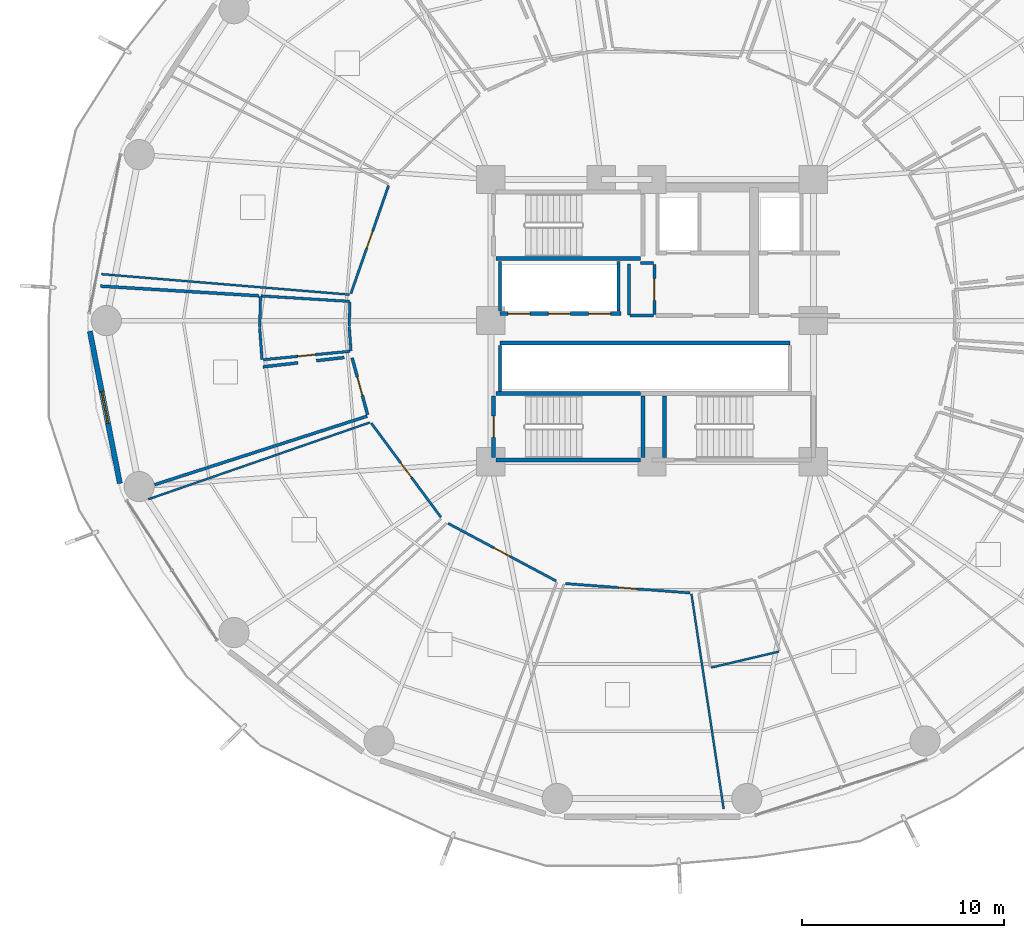
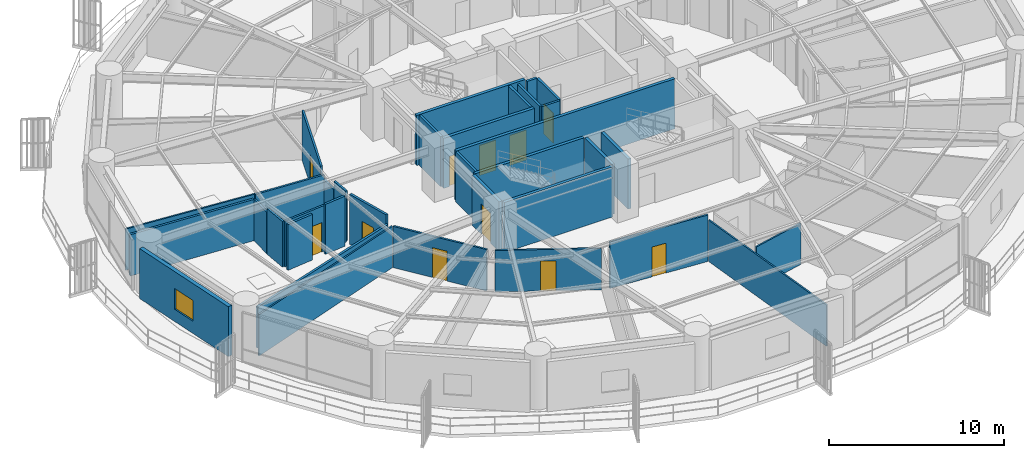
# One storey, part 23 of 32: 35 walls, 11 doors, 1 window, 12 openings.
"""IFC4 building model written with IfcOpenShell, lengths in metres."""

import ifcopenshell
import ifcopenshell.guid

model = None  # the IFC model being written
_history = None  # IfcOwnerHistory: only IFC2X3 demands one
_inside = {}  # id of a spatial element -> (the spatial element, [elements in it])
_under = {}  # id of a project, library or spatial element -> (it, [spatial elements below it])
_declared = {}  # id of a project -> (the project, [libraries it declares])
_typed = {}  # id of a type object -> (the type object, [elements of that type])
_made_of = {}  # id of a material, layer set ... -> (it, [elements and type objects made of it])


def new_model(schema):
    """Start an empty IFC model of exactly this schema.

    Asked for "IFC4X3", IfcOpenShell would pick the latest addendum, in which some entities
    have other attributes; the version numbers below select the first issue.
    IFC2X3 requires an IfcOwnerHistory on every rooted entity: one is made here for all.
    """
    global model, _history
    if schema == "IFC4X3":
        model = ifcopenshell.file(schema_version=(4, 3, 0, 0))
    else:
        model = ifcopenshell.file(schema=schema)
    _inside.clear()
    _under.clear()
    _declared.clear()
    _typed.clear()
    _made_of.clear()
    _history = None
    if model.schema == "IFC2X3":
        org = make("IfcOrganization", Name="unknown")
        user = make(
            "IfcPersonAndOrganization",
            ThePerson=make("IfcPerson", FamilyName="unknown"),
            TheOrganization=org,
        )
        app = make(
            "IfcApplication",
            ApplicationDeveloper=org,
            Version="unknown",
            ApplicationFullName="unknown",
            ApplicationIdentifier="unknown",
        )
        _history = make(
            "IfcOwnerHistory",
            OwningUser=user,
            OwningApplication=app,
            ChangeAction="ADDED",
            CreationDate=0,
        )
    return model


def make(cls, **values):
    """One entity of the class cls with the attributes given. An attribute that is None is left unset."""
    return model.create_entity(
        cls, **{name: value for name, value in values.items() if value is not None}
    )


def rooted(cls, **values):
    """An entity with a GlobalId (a new one), such as an element, a storey or a relation."""
    return make(cls, GlobalId=ifcopenshell.guid.new(), OwnerHistory=_history, **values)


def si_unit(unit_type, name, prefix=None):
    """IfcSIUnit, for example si_unit("LENGTHUNIT", "METRE", prefix="MILLI")."""
    return make("IfcSIUnit", UnitType=unit_type, Prefix=prefix, Name=name)


def assignment(units):
    """IfcUnitAssignment: the units of a project."""
    return None if units is None else make("IfcUnitAssignment", Units=units)


def point(xyz):
    """IfcCartesianPoint."""
    return None if xyz is None else make("IfcCartesianPoint", Coordinates=xyz)


def direction(xyz):
    """IfcDirection."""
    return None if xyz is None else make("IfcDirection", DirectionRatios=xyz)


def frame(location, z_axis=None, x_axis=None):
    """IfcAxis2Placement3D, a coordinate frame: its origin and axes. An axis left out is left unset."""
    return make(
        "IfcAxis2Placement3D",
        Location=point(location),
        Axis=direction(z_axis),
        RefDirection=direction(x_axis),
    )


def frame_2d(location, x_axis=None):
    """IfcAxis2Placement2D, a coordinate frame in the plane: its origin and x axis."""
    return make(
        "IfcAxis2Placement2D", Location=point(location), RefDirection=direction(x_axis)
    )


def origin():
    """The frame at (0, 0, 0) with its axes left unset."""
    return frame((0.0, 0.0, 0.0))


def place(relative_to, where):
    """IfcLocalPlacement: puts the frame where relative to a parent placement (None: the world)."""
    return make(
        "IfcLocalPlacement", PlacementRelTo=relative_to, RelativePlacement=where
    )


def context(
    kind, dimensions, precision=None, world=None, true_north=None, identifier=None
):
    """IfcGeometricRepresentationContext, for example the 3D "Model" context."""
    return make(
        "IfcGeometricRepresentationContext",
        ContextIdentifier=identifier,
        ContextType=kind,
        CoordinateSpaceDimension=dimensions,
        Precision=precision,
        WorldCoordinateSystem=world,
        TrueNorth=true_north,
    )


def subcontext(parent, identifier, kind, view, scale=None):
    """IfcGeometricRepresentationSubContext, for example "Body" below "Model"."""
    return make(
        "IfcGeometricRepresentationSubContext",
        ContextIdentifier=identifier,
        ContextType=kind,
        ParentContext=parent,
        TargetScale=scale,
        TargetView=view,
    )


def project(units=None, contexts=None):
    """IfcProject with its units and contexts."""
    return rooted(
        "IfcProject",
        Name="project",
        RepresentationContexts=contexts,
        UnitsInContext=assignment(units),
    )


def spatial(cls, under=None, at=None, **own):
    """A site, building, storey or space (cls), placed at a placement, below another one or the project."""
    s = rooted(cls, ObjectPlacement=at, **own)
    if under is not None:
        _under.setdefault(under.id(), (under, []))[1].append(s)
    return s


def profile(cls, at=None, kind="AREA", **sizes):
    """A parametric profile (cls). Its sizes go by their IFC names, for example OverallWidth=200.0."""
    return make(cls, ProfileType=kind, Position=at, **sizes)


def rectangle(**sizes):
    """IfcRectangleProfileDef."""
    return profile("IfcRectangleProfileDef", **sizes)


def extrude(swept, where, along, depth):
    """IfcExtrudedAreaSolid: the profile swept, set in the frame where, extruded along a direction by depth."""
    return make(
        "IfcExtrudedAreaSolid",
        SweptArea=swept,
        Position=where,
        ExtrudedDirection=direction(along),
        Depth=depth,
    )


def shape(context_of_items, identifier, shape_type, items):
    """IfcShapeRepresentation: the items that make up one representation, for example the "Body"."""
    return make(
        "IfcShapeRepresentation",
        ContextOfItems=context_of_items,
        RepresentationIdentifier=identifier,
        RepresentationType=shape_type,
        Items=items,
    )


def material(Name=None, Category=None):
    """IfcMaterial."""
    return make("IfcMaterial", Name=Name, Category=Category)


def layer(
    of_material, thickness, ventilated=None, Name=None, Category=None, Priority=None
):
    """IfcMaterialLayer: one layer of a wall or slab, of a material (None: an air gap)."""
    return make(
        "IfcMaterialLayer",
        Material=of_material,
        LayerThickness=thickness,
        IsVentilated=ventilated,
        Name=Name,
        Category=Category,
        Priority=Priority,
    )


def layer_set(layers, Name=None):
    """IfcMaterialLayerSet."""
    return make("IfcMaterialLayerSet", MaterialLayers=layers, LayerSetName=Name)


def made_of(thing, what):
    """Note that an element or type object is made of a material, layer set ...; save() writes the relation."""
    if what is not None:
        _made_of.setdefault(what.id(), (what, []))[1].append(thing)
    return thing


def type_object(cls, material=None, **own):
    """A type object (cls), such as IfcWallType, which elements share."""
    return made_of(rooted(cls, **own), material)


def element(
    cls,
    number,
    at=None,
    inside=None,
    cuts=None,
    type_object=None,
    material=None,
    context=None,
    identifier="Body",
    shape_type=None,
    held_by="IfcProductDefinitionShape",
    body=None,
    shapes=None,
    **own,
):
    """One element of the class cls, such as IfcWall. Its Tag is "e" and its number.

    at: its placement. inside: the storey or other place that contains it. cuts: it is an
    opening in that element (IfcRelVoidsElement). A single representation is given by context,
    identifier, shape_type and body (its items); several are given by shapes. held_by: the class
    of the entity that holds the representations. save() writes the other relations.
    """
    e = rooted(cls, Tag="e%d" % number, ObjectPlacement=at, **own)
    if body is not None:
        shapes = [shape(context, identifier, shape_type, body)]
    if shapes is not None:
        e.Representation = make(held_by, Representations=shapes)
    if inside is not None:
        _inside.setdefault(inside.id(), (inside, []))[1].append(e)
    if cuts is not None:
        rooted(
            "IfcRelVoidsElement", RelatingBuildingElement=cuts, RelatedOpeningElement=e
        )
    if type_object is not None:
        _typed.setdefault(type_object.id(), (type_object, []))[1].append(e)
    return made_of(e, material)


def fill(opening, filler):
    """IfcRelFillsElement: the door or window that sits in an opening."""
    return rooted(
        "IfcRelFillsElement",
        RelatingOpeningElement=opening,
        RelatedBuildingElement=filler,
    )


def aggregate(whole, parts):
    """IfcRelAggregates: a whole, such as a stair, and the parts it consists of."""
    return rooted("IfcRelAggregates", RelatingObject=whole, RelatedObjects=parts)


def save(model, path):
    """Write the relations noted so far, then the file.

    IfcRelAggregates (storeys below a building ...), IfcRelContainedInSpatialStructure (elements
    in a storey), IfcRelDefinesByType, IfcRelAssociatesMaterial and IfcRelDeclares: one each for
    every whole, place, type object, material and project.
    """
    for whole, parts in _under.values():
        aggregate(whole, parts)
    for where, things in _inside.values():
        rooted(
            "IfcRelContainedInSpatialStructure",
            RelatedElements=things,
            RelatingStructure=where,
        )
    for kind, things in _typed.values():
        rooted("IfcRelDefinesByType", RelatedObjects=things, RelatingType=kind)
    for what, things in _made_of.values():
        rooted("IfcRelAssociatesMaterial", RelatedObjects=things, RelatingMaterial=what)
    for by, libraries in _declared.values():
        rooted("IfcRelDeclares", RelatingContext=by, RelatedDefinitions=libraries)
    model.write(path)


model = new_model("IFC4")

# Units and contexts
model_context = context("Model", 3, precision=1e-05, world=origin(), true_north=direction((0.0, 1.0)))
body_context = subcontext(model_context, "Body", "Model", "MODEL_VIEW")
ifc_project = project(units=[si_unit("LENGTHUNIT", "METRE"), si_unit("AREAUNIT", "SQUARE_METRE"), si_unit("VOLUMEUNIT", "CUBIC_METRE"), si_unit("PLANEANGLEUNIT", "RADIAN"), si_unit("MASSUNIT", "GRAM", prefix="KILO")], contexts=[model_context])

# Site, building, storey
site_placement = place(None, origin())
site = spatial("IfcSite", under=ifc_project, at=site_placement, CompositionType="ELEMENT")
building_placement = place(site_placement, origin())
building = spatial("IfcBuilding", under=site, at=building_placement, Name="Kelanora Arch Commons", CompositionType="ELEMENT")
storey_placement = place(building_placement, frame((0.0, 0.0, 60.0)))
storey = spatial("IfcBuildingStorey", under=building, at=storey_placement, Name="L15", CompositionType="ELEMENT", Elevation=60.0)

# Walls
ifc_material_1 = material(Name="Autoclaved aerated concrete blockwork with fire plaster", Category="masonry")
ifc_layer_1 = layer(ifc_material_1, 0.14990234375)
ifc_layer_set_1 = layer_set([ifc_layer_1], Name="Autoclaved aerated concrete blockwork with fire plaster")
wall_type_1 = type_object("IfcWallType", Name="W-COMP-150", PredefinedType="PARTITIONING", material=ifc_layer_set_1)
for number, where, z_axis, x_axis, name in (
    (1, (66.4599609375, 58.47998046875, 0.0), (0.0, 0.0, 1.0), (0.0, 1.0, 0.0), "Low-Rise Lift Bank West Wall L15"),
    (2, (72.340087890625, 58.47998046875, 0.0), (0.0, 0.0, 1.0), (0.0, 1.0, 0.0), "Low-Rise Lift Bank East Wall L15"),
):
    element("IfcWall", number, at=place(storey_placement, frame(where, z_axis=z_axis, x_axis=x_axis)), inside=storey, type_object=wall_type_1, Name=name, PredefinedType="PARTITIONING", context=body_context, shape_type="SweptSolid", body=[
        extrude(rectangle(XDim=2.4599609375, YDim=0.14990234375, at=frame_2d((1.22998046875, 0.0))), origin(), (0.0, 0.0, 1.0), 3.47998046875),
    ])
wall_1_placement = place(storey_placement, frame((66.4599609375, 54.47998046875, 0.0), z_axis=(0.0, 0.0, 1.0), x_axis=(0.0, 1.0, 0.0)))
element("IfcWall", 3, at=wall_1_placement, inside=storey, type_object=wall_type_1, Name="South Lift Bank West Wall L15", PredefinedType="PARTITIONING", context=body_context, shape_type="SweptSolid", body=[
    extrude(rectangle(XDim=2.2900390625, YDim=0.14990234375, at=frame_2d((1.14501953125, 0.0))), origin(), (0.0, 0.0, 1.0), 3.47998046875),
])

# Wall, opening, door
wall_2_placement = place(storey_placement, frame((74.1201171875, 58.31005859375, 0.0), z_axis=(0.0, 0.0, 1.0), x_axis=(0.0, 1.0, 0.0)))
wall_2 = element("IfcWall", 4, at=wall_2_placement, inside=storey, type_object=wall_type_1, Name="Core Linen Supply Store L15 Entry Partition", PredefinedType="PARTITIONING", context=body_context, shape_type="SweptSolid", body=[
    extrude(rectangle(XDim=2.47998046875, YDim=0.14990234375, at=frame_2d((1.239990234375, 0.0))), origin(), (0.0, 0.0, 1.0), 3.47998046875),
])
opening_1_placement = place(wall_2_placement, frame((0.699951171875, 0.0, 0.0)))
opening_1 = element("IfcOpeningElement", 5, at=opening_1_placement, cuts=wall_2, Name="Opening D-PLT1", PredefinedType="OPENING", context=body_context, shape_type="SweptSolid", body=[
    extrude(rectangle(XDim=1.080078125, YDim=2.10009765625, at=frame_2d((0.5400390625, 1.050048828125))), frame((0.0, 0.0849609375, 0.0), z_axis=(0.0, -1.0, 0.0), x_axis=(1.0, 0.0, 0.0)), (0.0, 0.0, 1.0), 0.169921875),
])
ifc_material_2 = material(Name="Galvanised steel plant and riser fire door", Category="steel")
door_type_1 = type_object("IfcDoorType", Name="D-PLT-110", OperationType="NOTDEFINED", PredefinedType="DOOR", material=ifc_material_2)
door_1_placement = place(opening_1_placement, origin())
door_1 = element("IfcDoor", 6, at=door_1_placement, inside=storey, type_object=door_type_1, Name="Core Linen Supply Store L15 Door", OperationType="SINGLE_SWING_LEFT", OverallHeight=2.10009765625, OverallWidth=1.080078125, PredefinedType="DOOR", context=body_context, shape_type="SweptSolid", body=[
    extrude(rectangle(XDim=1.080078125, YDim=2.10009765625, at=frame_2d((0.5400390625, 1.050048828125))), frame((0.0, 0.02490234375, 0.0), z_axis=(0.0, -1.0, 0.0), x_axis=(1.0, 0.0, 0.0)), (0.0, 0.0, 1.0), 0.050048828125),
])
fill(opening_1, door_1)

wall_3_placement = place(storey_placement, frame((59.11572265625, 56.155029296875, 0.0), z_axis=(0.0, 0.0, 1.0), x_axis=(0.263653235341, -0.964617526014, 0.0)))
wall_3 = element("IfcWall", 7, at=wall_3_placement, inside=storey, type_object=wall_type_1, Name="Co-Living Studio L15-07 Entry Partition", PredefinedType="PARTITIONING", context=body_context, shape_type="SweptSolid", body=[
    extrude(rectangle(XDim=2.929931640625, YDim=0.14990234375, at=frame_2d((1.46484375, 0.0))), origin(), (0.0, 0.0, 1.0), 3.47998046875),
])
opening_2_placement = place(wall_3_placement, frame((0.989990234375, 0.0, 0.0)))
opening_2 = element("IfcOpeningElement", 8, at=opening_2_placement, cuts=wall_3, Name="Opening D-CLU1", PredefinedType="OPENING", context=body_context, shape_type="SweptSolid", body=[
    extrude(rectangle(XDim=0.949951171875, YDim=2.080078125, at=frame_2d((0.47509765625, 1.0400390625))), frame((0.0, 0.0849609375, 0.0), z_axis=(0.0, -1.0, 0.0), x_axis=(1.0, 0.0, 0.0)), (0.0, 0.0, 1.0), 0.169921875),
])
ifc_material_3 = material(Name="Solid-core acoustic timber cluster entry fire door", Category="wood")
door_type_2 = type_object("IfcDoorType", Name="D-CLU-95", OperationType="NOTDEFINED", PredefinedType="DOOR", material=ifc_material_3)
door_2_placement = place(opening_2_placement, origin())
door_2 = element("IfcDoor", 9, at=door_2_placement, inside=storey, type_object=door_type_2, Name="Co-Living Studio L15-07 Door", OperationType="SINGLE_SWING_RIGHT", OverallHeight=2.080078125, OverallWidth=0.949951171875, PredefinedType="DOOR", context=body_context, shape_type="SweptSolid", body=[
    extrude(rectangle(XDim=0.949951171875, YDim=2.080078125, at=frame_2d((0.47509765625, 1.0400390625))), frame((0.0, 0.02490234375, 0.0), z_axis=(0.0, -1.0, 0.0), x_axis=(1.0, 0.0, 0.0)), (0.0, 0.0, 1.0), 0.050048828125),
])
fill(opening_2, door_2)

# Walls
wall_4_placement = place(storey_placement, frame((72.89990234375, 58.25, 0.0), z_axis=(0.0, 0.0, 1.0), x_axis=(1.0, 0.0, 0.0)))
element("IfcWall", 10, at=wall_4_placement, inside=storey, type_object=wall_type_1, Name="Core Linen Supply Store L15 Enclosure Partition 1", PredefinedType="PARTITIONING", context=body_context, shape_type="SweptSolid", body=[
    extrude(rectangle(XDim=1.18017578125, YDim=0.14990234375, at=frame_2d((0.590087890625, 0.0))), origin(), (0.0, 0.0, 1.0), 3.47998046875),
])
wall_5_placement = place(storey_placement, frame((74.080078125, 60.85009765625, 0.0), z_axis=(0.0, 0.0, 1.0), x_axis=(-1.0, 0.0, 0.0)))
element("IfcWall", 11, at=wall_5_placement, inside=storey, type_object=wall_type_1, Name="Core Linen Supply Store L15 Enclosure Partition 3", PredefinedType="PARTITIONING", context=body_context, shape_type="SweptSolid", body=[
    extrude(rectangle(XDim=0.66015625, YDim=0.14990234375, at=frame_2d((0.330078125, 0.0))), origin(), (0.0, 0.0, 1.0), 3.47998046875),
])
wall_6_placement = place(storey_placement, frame((72.860107421875, 60.81005859375, 0.0), z_axis=(0.0, 0.0, 1.0), x_axis=(0.0, -1.0, 0.0)))
element("IfcWall", 12, at=wall_6_placement, inside=storey, type_object=wall_type_1, Name="Core Linen Supply Store L15 Enclosure Partition 4", PredefinedType="PARTITIONING", context=body_context, shape_type="SweptSolid", body=[
    extrude(rectangle(XDim=2.52001953125, YDim=0.14990234375, at=frame_2d((1.260009765625, 0.0))), origin(), (0.0, 0.0, 1.0), 3.47998046875),
])
wall_7_placement = place(storey_placement, frame((59.865966796875, 53.2587890625, 0.0), z_axis=(0.0, 0.0, 1.0), x_axis=(-0.951774856366, -0.30679736438, 0.0)))
element("IfcWall", 13, at=wall_7_placement, inside=storey, type_object=wall_type_1, Name="Co-Living Studio L15-07 Enclosure Partition 2", PredefinedType="PARTITIONING", context=body_context, shape_type="SweptSolid", body=[
    extrude(rectangle(XDim=11.077880859375, YDim=0.14990234375, at=frame_2d((5.5390625, 0.0))), origin(), (0.0, 0.0, 1.0), 2.875),
])
wall_8_placement = place(storey_placement, frame((46.626953125, 59.711669921875, 0.0), z_axis=(0.0, 0.0, 1.0), x_axis=(0.998135541011, -0.0610363971, 0.0)))
element("IfcWall", 14, at=wall_8_placement, inside=storey, type_object=wall_type_1, Name="Co-Living Studio L15-07 Enclosure Partition 5", PredefinedType="PARTITIONING", context=body_context, shape_type="SweptSolid", body=[
    extrude(rectangle(XDim=7.8837890625, YDim=0.14990234375, at=frame_2d((3.94189453125, 0.0))), origin(), (0.0, 0.0, 1.0), 2.875),
])
wall_9_placement = place(storey_placement, frame((54.69580078125, 55.70556640625, 0.0), z_axis=(0.0, 0.0, 1.0), x_axis=(0.993432194787, 0.114422350794, 0.0)))
element("IfcWall", 15, at=wall_9_placement, inside=storey, type_object=wall_type_1, Name="Co-Living Studio L15-07 Enclosure Partition 7", PredefinedType="PARTITIONING", context=body_context, shape_type="SweptSolid", body=[
    extrude(rectangle(XDim=1.745361328125, YDim=0.14990234375, at=frame_2d((0.87255859375, 0.0))), origin(), (0.0, 0.0, 1.0), 3.175048828125),
])
wall_10_placement = place(storey_placement, frame((57.34375, 56.0107421875, 0.0), z_axis=(0.0, 0.0, 1.0), x_axis=(0.99343576075, 0.114391386311, 0.0)))
element("IfcWall", 16, at=wall_10_placement, inside=storey, type_object=wall_type_1, Name="Co-Living Studio L15-07 Enclosure Partition 7", PredefinedType="PARTITIONING", context=body_context, shape_type="SweptSolid", body=[
    extrude(rectangle(XDim=1.3935546875, YDim=0.14990234375, at=frame_2d((0.69677734375, 0.0))), origin(), (0.0, 0.0, 1.0), 3.47998046875),
])

# Wall, opening, window
ifc_material_4 = material(Name="Precast concrete C40/50 with terracotta rainscreen", Category="masonry")
ifc_layer_2 = layer(ifc_material_4, 0.260009765625)
ifc_layer_set_2 = layer_set([ifc_layer_2], Name="Precast concrete C40/50 with terracotta rainscreen")
wall_type_2 = type_object("IfcWallType", Name="W-EXT-TC", PredefinedType="SOLIDWALL", material=ifc_layer_set_2)
wall_11_placement = place(storey_placement, frame((46.103515625, 57.4765625, 0.0), z_axis=(0.0, 0.0, 1.0), x_axis=(0.193726159581, -0.98105564322, 0.0)))
wall_11 = element("IfcWall", 17, at=wall_11_placement, inside=storey, type_object=wall_type_2, Name="Terracotta Exterior Wall L15-B09", PredefinedType="SOLIDWALL", context=body_context, shape_type="SweptSolid", body=[
    extrude(rectangle(XDim=7.70263671875, YDim=0.260009765625, at=frame_2d((3.851318359375, 0.0))), origin(), (0.0, 0.0, 1.0), 3.47509765625),
])
opening_3_placement = place(wall_11_placement, frame((3.051025390625, 0.0, 0.85009765625)))
opening_3 = element("IfcOpeningElement", 18, at=opening_3_placement, cuts=wall_11, Name="Opening WN-01", PredefinedType="OPENING", context=body_context, shape_type="SweptSolid", body=[
    extrude(rectangle(XDim=1.60009765625, YDim=1.449951171875, at=frame_2d((0.800048828125, 0.72509765625))), frame((0.0, 0.14013671875, 0.0), z_axis=(0.0, -1.0, 0.0), x_axis=(1.0, 0.0, 0.0)), (0.0, 0.0, 1.0), 0.280029296875),
])
ifc_material_5 = material(Name="Terracotta-anodised aluminium frame with operable low-E glazing", Category="masonry")
window_type = type_object("IfcWindowType", Name="WIN-CL-18", PartitioningType="DOUBLE_PANEL_VERTICAL", PredefinedType="WINDOW", material=ifc_material_5)
window_placement = place(opening_3_placement, origin())
window = element("IfcWindow", 19, at=window_placement, inside=storey, type_object=window_type, Name="Co-Living Operable Window L15-B09", OverallHeight=1.449951171875, OverallWidth=1.60009765625, PartitioningType="SINGLE_PANEL", PredefinedType="WINDOW", context=body_context, shape_type="SweptSolid", body=[
    extrude(rectangle(XDim=1.60009765625, YDim=1.449951171875, at=frame_2d((0.800048828125, 0.72509765625))), frame((0.0, 0.030029296875, 0.0), z_axis=(0.0, -1.0, 0.0), x_axis=(1.0, 0.0, 0.0)), (0.0, 0.0, 1.0), 0.06005859375),
])
fill(opening_3, window)

# Wall, openings, doors
ifc_material_6 = material(Name="Concrete C40/50", Category="concrete")
ifc_layer_3 = layer(ifc_material_6, 0.199951171875)
ifc_layer_set_3 = layer_set([ifc_layer_3], Name="Concrete C40/50")
wall_type_3 = type_object("IfcWallType", Name="W-FFL-200", PredefinedType="SOLIDWALL", material=ifc_layer_set_3)
wall_12_placement = place(storey_placement, frame((66.449951171875, 58.35009765625, 0.0), z_axis=(0.0, 0.0, 1.0), x_axis=(1.0, 0.0, 0.0)))
wall_12 = element("IfcWall", 20, at=wall_12_placement, inside=storey, type_object=wall_type_3, Name="Low-Rise Passenger Lift Shaft Front L15", PredefinedType="SOLIDWALL", context=body_context, shape_type="SweptSolid", body=[
    extrude(rectangle(XDim=6.0, YDim=0.199951171875, at=frame_2d((3.0, 0.0))), origin(), (0.0, 0.0, 1.0), 3.47998046875),
])
opening_4_placement = place(wall_12_placement, frame((0.39990234375, 0.0, 0.0)))
opening_4 = element("IfcOpeningElement", 21, at=opening_4_placement, cuts=wall_12, Name="Opening LD-01", PredefinedType="OPENING", context=body_context, shape_type="SweptSolid", body=[
    extrude(rectangle(XDim=1.10009765625, YDim=2.10009765625, at=frame_2d((0.550048828125, 1.050048828125))), frame((0.0, 0.10986328125, 0.0), z_axis=(0.0, -1.0, 0.0), x_axis=(1.0, 0.0, 0.0)), (0.0, 0.0, 1.0), 0.219970703125),
])
opening_5_placement = place(wall_12_placement, frame((2.39990234375, 0.0, 0.0)))
opening_5 = element("IfcOpeningElement", 22, at=opening_5_placement, cuts=wall_12, Name="Opening LD-01", PredefinedType="OPENING", context=body_context, shape_type="SweptSolid", body=[
    extrude(rectangle(XDim=1.10009765625, YDim=2.10009765625, at=frame_2d((0.550048828125, 1.050048828125))), frame((0.0, 0.10986328125, 0.0), z_axis=(0.0, -1.0, 0.0), x_axis=(1.0, 0.0, 0.0)), (0.0, 0.0, 1.0), 0.219970703125),
])
opening_6_placement = place(wall_12_placement, frame((4.39990234375, 0.0, 0.0)))
opening_6 = element("IfcOpeningElement", 23, at=opening_6_placement, cuts=wall_12, Name="Opening LD-01", PredefinedType="OPENING", context=body_context, shape_type="SweptSolid", body=[
    extrude(rectangle(XDim=1.10009765625, YDim=2.10009765625, at=frame_2d((0.550048828125, 1.050048828125))), frame((0.0, 0.10986328125, 0.0), z_axis=(0.0, -1.0, 0.0), x_axis=(1.0, 0.0, 0.0)), (0.0, 0.0, 1.0), 0.219970703125),
])
ifc_material_7 = material(Name="Stainless steel passenger lift sliding landing door", Category="steel")
door_type_3 = type_object("IfcDoorType", Name="D-LIFT-110", OperationType="NOTDEFINED", PredefinedType="DOOR", material=ifc_material_7)
door_3_placement = place(opening_4_placement, origin())
door_3 = element("IfcDoor", 24, at=door_3_placement, inside=storey, type_object=door_type_3, Name="Passenger Lift LF-P1 Landing Door L15", OperationType="DOUBLE_DOOR_SLIDING", OverallHeight=2.10009765625, OverallWidth=1.10009765625, PredefinedType="DOOR", context=body_context, shape_type="SweptSolid", body=[
    extrude(rectangle(XDim=1.10009765625, YDim=2.10009765625, at=frame_2d((0.550048828125, 1.050048828125))), frame((0.0, 0.02490234375, 0.0), z_axis=(0.0, -1.0, 0.0), x_axis=(1.0, 0.0, 0.0)), (0.0, 0.0, 1.0), 0.050048828125),
])
fill(opening_4, door_3)
door_4_placement = place(opening_5_placement, origin())
door_4 = element("IfcDoor", 25, at=door_4_placement, inside=storey, type_object=door_type_3, Name="Passenger Lift LF-P2 Landing Door L15", OperationType="DOUBLE_DOOR_SLIDING", OverallHeight=2.10009765625, OverallWidth=1.10009765625, PredefinedType="DOOR", context=body_context, shape_type="SweptSolid", body=[
    extrude(rectangle(XDim=1.10009765625, YDim=2.10009765625, at=frame_2d((0.550048828125, 1.050048828125))), frame((0.0, 0.02490234375, 0.0), z_axis=(0.0, -1.0, 0.0), x_axis=(1.0, 0.0, 0.0)), (0.0, 0.0, 1.0), 0.050048828125),
])
fill(opening_5, door_4)
door_5_placement = place(opening_6_placement, origin())
door_5 = element("IfcDoor", 26, at=door_5_placement, inside=storey, type_object=door_type_3, Name="Passenger Lift LF-P3 Landing Door L15", OperationType="DOUBLE_DOOR_SLIDING", OverallHeight=2.10009765625, OverallWidth=1.10009765625, PredefinedType="DOOR", context=body_context, shape_type="SweptSolid", body=[
    extrude(rectangle(XDim=1.10009765625, YDim=2.10009765625, at=frame_2d((0.550048828125, 1.050048828125))), frame((0.0, 0.02490234375, 0.0), z_axis=(0.0, -1.0, 0.0), x_axis=(1.0, 0.0, 0.0)), (0.0, 0.0, 1.0), 0.050048828125),
])
fill(opening_6, door_5)

# Walls
wall_13_placement = place(storey_placement, frame((66.449951171875, 56.89990234375, 0.0), z_axis=(0.0, 0.0, 1.0), x_axis=(1.0, 0.0, 0.0)))
element("IfcWall", 27, at=wall_13_placement, inside=storey, type_object=wall_type_3, Name="Mid/High/Express Lift Shaft Front L15", PredefinedType="SOLIDWALL", context=body_context, shape_type="SweptSolid", body=[
    extrude(rectangle(XDim=14.400146484375, YDim=0.199951171875, at=frame_2d((7.2001953125, 0.0))), origin(), (0.0, 0.0, 1.0), 3.47998046875),
])
ifc_material_8 = material(Name="Lightweight fire-rated acoustic stud partition")
ifc_layer_4 = layer(ifc_material_8, 0.10009765625)
ifc_layer_set_4 = layer_set([ifc_layer_4], Name="Lightweight fire-rated acoustic stud partition")
wall_type_4 = type_object("IfcWallType", Name="W-PART-100", PredefinedType="PARTITIONING", material=ifc_layer_set_4)
wall_14_placement = place(storey_placement, frame((58.9970703125, 59.289306640625, 0.0), z_axis=(0.0, 0.0, 1.0), x_axis=(-0.996604780232, 0.08233414856, 0.0)))
element("IfcWall", 28, at=wall_14_placement, inside=storey, type_object=wall_type_4, Name="Social Sky Lounge L15-06 Enclosure Partition 2", PredefinedType="PARTITIONING", context=body_context, shape_type="SweptSolid", body=[
    extrude(rectangle(XDim=12.356201171875, YDim=0.10009765625, at=frame_2d((6.17822265625, 0.0))), origin(), (0.0, 0.0, 1.0), 2.875),
])
wall_15_placement = place(storey_placement, frame((49.007568359375, 49.136474609375, 0.0), z_axis=(0.0, 0.0, 1.0), x_axis=(0.944815756918, 0.327602175634, 0.0)))
element("IfcWall", 29, at=wall_15_placement, inside=storey, type_object=wall_type_4, Name="Communal Dining and Social Hall L15-08 Enclosure Partition 4", PredefinedType="PARTITIONING", context=body_context, shape_type="SweptSolid", body=[
    extrude(rectangle(XDim=11.631591796875, YDim=0.10009765625, at=frame_2d((5.81591796875, 0.0))), origin(), (0.0, 0.0, 1.0), 2.875),
])
wall_16_placement = place(storey_placement, frame((75.952880859375, 44.4453125, 0.0), z_axis=(0.0, 0.0, 1.0), x_axis=(0.148282966471, -0.988944974129, 0.0)))
element("IfcWall", 30, at=wall_16_placement, inside=storey, type_object=wall_type_4, Name="Quiet Seminar Study Room L15-10 Enclosure Partition 2", PredefinedType="PARTITIONING", context=body_context, shape_type="SweptSolid", body=[
    extrude(rectangle(XDim=10.799072265625, YDim=0.10009765625, at=frame_2d((5.3994140625, 0.0))), origin(), (0.0, 0.0, 1.0), 2.875),
])
wall_17_placement = place(storey_placement, frame((80.302001953125, 41.578857421875, 0.0), z_axis=(0.0, 0.0, 1.0), x_axis=(-0.973403286496, -0.229098323518, 0.0)))
element("IfcWall", 31, at=wall_17_placement, inside=storey, type_object=wall_type_4, Name="Student Laundry Room L15-11 Enclosure Partition 3", PredefinedType="PARTITIONING", context=body_context, shape_type="SweptSolid", body=[
    extrude(rectangle(XDim=3.460205078125, YDim=0.10009765625, at=frame_2d((1.72998046875, 0.0))), origin(), (0.0, 0.0, 1.0), 2.875),
])

# Wall, opening, door
ifc_material_9 = material(Name="Acoustic twin-stud fire-rated gypsum partition")
ifc_layer_5 = layer(ifc_material_9, 0.1201171875)
ifc_layer_set_5 = layer_set([ifc_layer_5], Name="Acoustic twin-stud fire-rated gypsum partition")
wall_type_5 = type_object("IfcWallType", Name="W-PART-120", PredefinedType="PARTITIONING", material=ifc_layer_set_5)
wall_18_placement = place(storey_placement, frame((60.92822265625, 64.702392578125, 0.0), z_axis=(0.0, 0.0, 1.0), x_axis=(-0.329626249966, -0.944111505773, 0.0)))
wall_18 = element("IfcWall", 32, at=wall_18_placement, inside=storey, type_object=wall_type_5, Name="Social Sky Lounge L15-06 Entry Partition", PredefinedType="PARTITIONING", context=body_context, shape_type="SweptSolid", body=[
    extrude(rectangle(XDim=5.67724609375, YDim=0.1201171875, at=frame_2d((2.838623046875, 0.0))), origin(), (0.0, 0.0, 1.0), 3.47998046875),
])
opening_7_placement = place(wall_18_placement, frame((2.388916015625, 0.0, 0.0)))
opening_7 = element("IfcOpeningElement", 33, at=opening_7_placement, cuts=wall_18, Name="Opening D-RM1", PredefinedType="OPENING", context=body_context, shape_type="SweptSolid", body=[
    extrude(rectangle(XDim=0.89990234375, YDim=2.080078125, at=frame_2d((0.449951171875, 1.0400390625))), frame((0.0, 0.070068359375, 0.0), z_axis=(0.0, -1.0, 0.0), x_axis=(1.0, 0.0, 0.0)), (0.0, 0.0, 1.0), 0.14013671875),
])
ifc_material_10 = material(Name="Acoustic fire-rated timber study and lounge door", Category="wood")
door_type_4 = type_object("IfcDoorType", Name="D-ROOM-90", OperationType="NOTDEFINED", PredefinedType="DOOR", material=ifc_material_10)
door_6_placement = place(opening_7_placement, origin())
door_6 = element("IfcDoor", 34, at=door_6_placement, inside=storey, type_object=door_type_4, Name="Social Sky Lounge L15-06 Door", OperationType="SINGLE_SWING_RIGHT", OverallHeight=2.080078125, OverallWidth=0.89990234375, PredefinedType="DOOR", context=body_context, shape_type="SweptSolid", body=[
    extrude(rectangle(XDim=0.89990234375, YDim=2.080078125, at=frame_2d((0.449951171875, 1.0400390625))), frame((0.0, 0.02490234375, 0.0), z_axis=(0.0, -1.0, 0.0), x_axis=(1.0, 0.0, 0.0)), (0.0, 0.0, 1.0), 0.050048828125),
])
fill(opening_7, door_6)

wall_19_placement = place(storey_placement, frame((60.07080078125, 52.911865234375, 0.0), z_axis=(0.0, 0.0, 1.0), x_axis=(0.594763174801, -0.80390096772, 0.0)))
wall_19 = element("IfcWall", 35, at=wall_19_placement, inside=storey, type_object=wall_type_5, Name="Communal Dining and Social Hall L15-08 Entry Partition", PredefinedType="PARTITIONING", context=body_context, shape_type="SweptSolid", body=[
    extrude(rectangle(XDim=5.81005859375, YDim=0.1201171875, at=frame_2d((2.905029296875, 0.0))), origin(), (0.0, 0.0, 1.0), 2.875),
])
opening_8_placement = place(wall_19_placement, frame((2.455078125, 0.0, 0.0)))
opening_8 = element("IfcOpeningElement", 36, at=opening_8_placement, cuts=wall_19, Name="Opening D-RM1", PredefinedType="OPENING", context=body_context, shape_type="SweptSolid", body=[
    extrude(rectangle(XDim=0.89990234375, YDim=2.080078125, at=frame_2d((0.449951171875, 1.0400390625))), frame((0.0, 0.070068359375, 0.0), z_axis=(0.0, -1.0, 0.0), x_axis=(1.0, 0.0, 0.0)), (0.0, 0.0, 1.0), 0.14013671875),
])
door_7_placement = place(opening_8_placement, origin())
door_7 = element("IfcDoor", 37, at=door_7_placement, inside=storey, type_object=door_type_4, Name="Communal Dining and Social Hall L15-08 Door", OperationType="SINGLE_SWING_LEFT", OverallHeight=2.080078125, OverallWidth=0.89990234375, PredefinedType="DOOR", context=body_context, shape_type="SweptSolid", body=[
    extrude(rectangle(XDim=0.89990234375, YDim=2.080078125, at=frame_2d((0.449951171875, 1.0400390625))), frame((0.0, 0.02490234375, 0.0), z_axis=(0.0, -1.0, 0.0), x_axis=(1.0, 0.0, 0.0)), (0.0, 0.0, 1.0), 0.050048828125),
])
fill(opening_8, door_7)

wall_20_placement = place(storey_placement, frame((63.882080078125, 47.936767578125, 0.0), z_axis=(0.0, 0.0, 1.0), x_axis=(0.882584601599, -0.470153614279, 0.0)))
wall_20 = element("IfcWall", 38, at=wall_20_placement, inside=storey, type_object=wall_type_5, Name="Quiet Seminar Study Room L15-09 Entry Partition", PredefinedType="PARTITIONING", context=body_context, shape_type="SweptSolid", body=[
    extrude(rectangle(XDim=6.065185546875, YDim=0.1201171875, at=frame_2d((3.03271484375, 0.0))), origin(), (0.0, 0.0, 1.0), 2.875),
])
opening_9_placement = place(wall_20_placement, frame((2.5830078125, 0.0, 0.0)))
opening_9 = element("IfcOpeningElement", 39, at=opening_9_placement, cuts=wall_20, Name="Opening D-RM1", PredefinedType="OPENING", context=body_context, shape_type="SweptSolid", body=[
    extrude(rectangle(XDim=0.89990234375, YDim=2.080078125, at=frame_2d((0.449951171875, 1.0400390625))), frame((0.0, 0.070068359375, 0.0), z_axis=(0.0, -1.0, 0.0), x_axis=(1.0, 0.0, 0.0)), (0.0, 0.0, 1.0), 0.14013671875),
])
door_8_placement = place(opening_9_placement, origin())
door_8 = element("IfcDoor", 40, at=door_8_placement, inside=storey, type_object=door_type_4, Name="Quiet Seminar Study Room L15-09 Door", OperationType="SINGLE_SWING_RIGHT", OverallHeight=2.080078125, OverallWidth=0.89990234375, PredefinedType="DOOR", context=body_context, shape_type="SweptSolid", body=[
    extrude(rectangle(XDim=0.89990234375, YDim=2.080078125, at=frame_2d((0.449951171875, 1.0400390625))), frame((0.0, 0.02490234375, 0.0), z_axis=(0.0, -1.0, 0.0), x_axis=(1.0, 0.0, 0.0)), (0.0, 0.0, 1.0), 0.050048828125),
])
fill(opening_9, door_8)

wall_21_placement = place(storey_placement, frame((69.69775390625, 44.952392578125, 0.0), z_axis=(0.0, 0.0, 1.0), x_axis=(0.997215128993, -0.074578726908, 0.0)))
wall_21 = element("IfcWall", 41, at=wall_21_placement, inside=storey, type_object=wall_type_5, Name="Quiet Seminar Study Room L15-10 Entry Partition", PredefinedType="PARTITIONING", context=body_context, shape_type="SweptSolid", body=[
    extrude(rectangle(XDim=6.206787109375, YDim=0.1201171875, at=frame_2d((3.103515625, 0.0))), origin(), (0.0, 0.0, 1.0), 3.235107421875),
])
opening_10_placement = place(wall_21_placement, frame((2.653076171875, 0.0, 0.0)))
opening_10 = element("IfcOpeningElement", 42, at=opening_10_placement, cuts=wall_21, Name="Opening D-RM1", PredefinedType="OPENING", context=body_context, shape_type="SweptSolid", body=[
    extrude(rectangle(XDim=0.89990234375, YDim=2.080078125, at=frame_2d((0.449951171875, 1.0400390625))), frame((0.0, 0.070068359375, 0.0), z_axis=(0.0, -1.0, 0.0), x_axis=(1.0, 0.0, 0.0)), (0.0, 0.0, 1.0), 0.14013671875),
])
door_9_placement = place(opening_10_placement, origin())
door_9 = element("IfcDoor", 43, at=door_9_placement, inside=storey, type_object=door_type_4, Name="Quiet Seminar Study Room L15-10 Door", OperationType="SINGLE_SWING_LEFT", OverallHeight=2.080078125, OverallWidth=0.89990234375, PredefinedType="DOOR", context=body_context, shape_type="SweptSolid", body=[
    extrude(rectangle(XDim=0.89990234375, YDim=2.080078125, at=frame_2d((0.449951171875, 1.0400390625))), frame((0.0, 0.02490234375, 0.0), z_axis=(0.0, -1.0, 0.0), x_axis=(1.0, 0.0, 0.0)), (0.0, 0.0, 1.0), 0.050048828125),
])
fill(opening_10, door_9)

# Walls
ifc_layer_6 = layer(ifc_material_6, 0.199951171875)
ifc_layer_set_6 = layer_set([ifc_layer_6], Name="Concrete C40/50")
wall_type_6 = type_object("IfcWallType", Name="W-STAIR-200", PredefinedType="SHEAR", material=ifc_layer_set_6)
wall_22_placement = place(storey_placement, frame((66.260009765625, 61.080078125, 0.0), z_axis=(0.0, 0.0, 1.0), x_axis=(1.0, 0.0, 0.0)))
element("IfcWall", 44, at=wall_22_placement, inside=storey, type_object=wall_type_6, Name="Stair ST-T1 Shaft Wall S L15", PredefinedType="SHEAR", context=body_context, shape_type="SweptSolid", body=[
    extrude(rectangle(XDim=7.159912109375, YDim=0.199951171875, at=frame_2d((3.580078125, 0.0))), origin(), (0.0, 0.0, 1.0), 3.489990234375),
])
wall_23_placement = place(storey_placement, frame((74.6201171875, 54.27001953125, 0.0), z_axis=(0.0, 0.0, 1.0), x_axis=(0.0, -1.0, 0.0)))
element("IfcWall", 45, at=wall_23_placement, inside=storey, type_object=wall_type_6, Name="Stair ST-T2 Shaft Wall W L15", PredefinedType="SHEAR", context=body_context, shape_type="SweptSolid", body=[
    extrude(rectangle(XDim=3.070068359375, YDim=0.199951171875, at=frame_2d((1.53515625, 0.0))), origin(), (0.0, 0.0, 1.0), 3.489990234375),
])
wall_24_placement = place(storey_placement, frame((66.260009765625, 51.080078125, 0.0), z_axis=(0.0, 0.0, 1.0), x_axis=(1.0, 0.0, 0.0)))
element("IfcWall", 46, at=wall_24_placement, inside=storey, type_object=wall_type_6, Name="Stair ST-T3 Shaft Wall S L15", PredefinedType="SHEAR", context=body_context, shape_type="SweptSolid", body=[
    extrude(rectangle(XDim=7.159912109375, YDim=0.199951171875, at=frame_2d((3.580078125, 0.0))), origin(), (0.0, 0.0, 1.0), 3.489990234375),
])
wall_25_placement = place(storey_placement, frame((73.5400390625, 51.199951171875, 0.0), z_axis=(0.0, 0.0, 1.0), x_axis=(0.0, 1.0, 0.0)))
element("IfcWall", 47, at=wall_25_placement, inside=storey, type_object=wall_type_6, Name="Stair ST-T3 Shaft Wall E L15", PredefinedType="SHEAR", context=body_context, shape_type="SweptSolid", body=[
    extrude(rectangle(XDim=3.070068359375, YDim=0.199951171875, at=frame_2d((1.53515625, 0.0))), origin(), (0.0, 0.0, 1.0), 3.489990234375),
])
wall_26_placement = place(storey_placement, frame((73.419921875, 54.389892578125, 0.0), z_axis=(0.0, 0.0, 1.0), x_axis=(-1.0, 0.0, 0.0)))
element("IfcWall", 48, at=wall_26_placement, inside=storey, type_object=wall_type_6, Name="Stair ST-T3 Shaft Wall N L15", PredefinedType="SHEAR", context=body_context, shape_type="SweptSolid", body=[
    extrude(rectangle(XDim=7.159912109375, YDim=0.199951171875, at=frame_2d((3.580078125, 0.0))), origin(), (0.0, 0.0, 1.0), 3.489990234375),
])

# Wall, opening, door
wall_27_placement = place(storey_placement, frame((66.139892578125, 54.27001953125, 0.0), z_axis=(0.0, 0.0, 1.0), x_axis=(0.0, -1.0, 0.0)))
wall_27 = element("IfcWall", 49, at=wall_27_placement, inside=storey, type_object=wall_type_6, Name="Stair ST-T3 Shaft Wall W L15", PredefinedType="SHEAR", context=body_context, shape_type="SweptSolid", body=[
    extrude(rectangle(XDim=3.070068359375, YDim=0.199951171875, at=frame_2d((1.53515625, 0.0))), origin(), (0.0, 0.0, 1.0), 3.489990234375),
])
opening_11_placement = place(wall_27_placement, frame((1.010009765625, 0.0, 0.0)))
opening_11 = element("IfcOpeningElement", 50, at=opening_11_placement, cuts=wall_27, Name="Opening D-ST1", PredefinedType="OPENING", context=body_context, shape_type="SweptSolid", body=[
    extrude(rectangle(XDim=1.050048828125, YDim=2.10009765625, at=frame_2d((0.52490234375, 1.050048828125))), frame((0.0, 0.10986328125, 0.0), z_axis=(0.0, -1.0, 0.0), x_axis=(1.0, 0.0, 0.0)), (0.0, 0.0, 1.0), 0.219970703125),
])
ifc_material_11 = material(Name="Steel fire-rated stairwell escape door", Category="steel")
door_type_5 = type_object("IfcDoorType", Name="D-STAIR-110", OperationType="NOTDEFINED", PredefinedType="DOOR", material=ifc_material_11)
door_10_placement = place(opening_11_placement, origin())
door_10 = element("IfcDoor", 51, at=door_10_placement, inside=storey, type_object=door_type_5, Name="Stair ST-T3 Escape Door L15", OperationType="SINGLE_SWING_LEFT", OverallHeight=2.10009765625, OverallWidth=1.050048828125, PredefinedType="DOOR", context=body_context, shape_type="SweptSolid", body=[
    extrude(rectangle(XDim=1.050048828125, YDim=2.10009765625, at=frame_2d((0.52490234375, 1.050048828125))), frame((0.0, 0.02490234375, 0.0), z_axis=(0.0, -1.0, 0.0), x_axis=(1.0, 0.0, 0.0)), (0.0, 0.0, 1.0), 0.050048828125),
])
fill(opening_11, door_10)

ifc_material_12 = material(Name="Moisture-resistant fire-rated cement-board plumbing wall")
ifc_layer_7 = layer(ifc_material_12, 0.1298828125)
ifc_layer_set_7 = layer_set([ifc_layer_7], Name="Moisture-resistant fire-rated cement-board plumbing wall")
wall_type_7 = type_object("IfcWallType", Name="W-WET-120", PredefinedType="PLUMBINGWALL", material=ifc_layer_set_7)
wall_28_placement = place(storey_placement, frame((59.00341796875, 56.478271484375, 0.0), z_axis=(0.0, 0.0, 1.0), x_axis=(-0.995308448338, -0.096752739847, 0.0)))
wall_28 = element("IfcWall", 52, at=wall_28_placement, inside=storey, type_object=wall_type_7, Name="En-Suite Shower WC L15-07 Entry Partition", PredefinedType="PLUMBINGWALL", context=body_context, shape_type="SweptSolid", body=[
    extrude(rectangle(XDim=4.31494140625, YDim=0.1298828125, at=frame_2d((2.157470703125, 0.0))), origin(), (0.0, 0.0, 1.0), 3.175048828125),
])
opening_12_placement = place(wall_28_placement, frame((1.72705078125, 0.0, 0.0)))
opening_12 = element("IfcOpeningElement", 53, at=opening_12_placement, cuts=wall_28, Name="Opening D-BT1", PredefinedType="OPENING", context=body_context, shape_type="SweptSolid", body=[
    extrude(rectangle(XDim=0.860107421875, YDim=2.050048828125, at=frame_2d((0.43017578125, 1.02490234375))), frame((0.0, 0.074951171875, 0.0), z_axis=(0.0, -1.0, 0.0), x_axis=(1.0, 0.0, 0.0)), (0.0, 0.0, 1.0), 0.14990234375),
])
ifc_material_13 = material(Name="Moisture-sealed fire-rated accessible bathroom door")
door_type_6 = type_object("IfcDoorType", Name="D-BATH-85", OperationType="NOTDEFINED", PredefinedType="DOOR", material=ifc_material_13)
door_11_placement = place(opening_12_placement, origin())
door_11 = element("IfcDoor", 54, at=door_11_placement, inside=storey, type_object=door_type_6, Name="En-Suite Shower WC L15-07 Door", OperationType="SINGLE_SWING_LEFT", OverallHeight=2.050048828125, OverallWidth=0.860107421875, PredefinedType="DOOR", context=body_context, shape_type="SweptSolid", body=[
    extrude(rectangle(XDim=0.860107421875, YDim=2.050048828125, at=frame_2d((0.43017578125, 1.02490234375))), frame((0.0, 0.02490234375, 0.0), z_axis=(0.0, -1.0, 0.0), x_axis=(1.0, 0.0, 0.0)), (0.0, 0.0, 1.0), 0.050048828125),
])
fill(opening_12, door_11)

# Walls
wall_29_placement = place(storey_placement, frame((59.006591796875, 58.93408203125, 0.0), z_axis=(0.0, 0.0, 1.0), x_axis=(-0.027750076623, -0.99961489247, 0.0)))
element("IfcWall", 55, at=wall_29_placement, inside=storey, type_object=wall_type_7, Name="En-Suite Shower WC L15-07 Enclosure Partition 1", PredefinedType="PLUMBINGWALL", context=body_context, shape_type="SweptSolid", body=[
    extrude(rectangle(XDim=1.196533203125, YDim=0.1298828125, at=frame_2d((0.59814453125, 0.0))), origin(), (0.0, 0.0, 1.0), 2.875),
])
wall_30_placement = place(storey_placement, frame((58.974609375, 57.697998046875, 0.0), z_axis=(0.0, 0.0, 1.0), x_axis=(0.072594705052, -0.99736152362, 0.0)))
element("IfcWall", 56, at=wall_30_placement, inside=storey, type_object=wall_type_7, Name="En-Suite Shower WC L15-07 Enclosure Partition 2", PredefinedType="PLUMBINGWALL", context=body_context, shape_type="SweptSolid", body=[
    extrude(rectangle(XDim=1.197265625, YDim=0.1298828125, at=frame_2d((0.5986328125, 0.0))), origin(), (0.0, 0.0, 1.0), 3.47998046875),
])
wall_31_placement = place(storey_placement, frame((54.6474609375, 56.074951171875, 0.0), z_axis=(0.0, 0.0, 1.0), x_axis=(-0.07367990301, 0.997281942027, 0.0)))
element("IfcWall", 57, at=wall_31_placement, inside=storey, type_object=wall_type_7, Name="En-Suite Shower WC L15-07 Enclosure Partition 4", PredefinedType="PLUMBINGWALL", context=body_context, shape_type="SweptSolid", body=[
    extrude(rectangle(XDim=1.54736328125, YDim=0.1298828125, at=frame_2d((0.773681640625, 0.0))), origin(), (0.0, 0.0, 1.0), 3.175048828125),
])
wall_32_placement = place(storey_placement, frame((54.53271484375, 57.657958984375, 0.0), z_axis=(0.0, 0.0, 1.0), x_axis=(0.02760506688, 0.999618907526, 0.0)))
element("IfcWall", 58, at=wall_32_placement, inside=storey, type_object=wall_type_7, Name="En-Suite Shower WC L15-07 Enclosure Partition 5", PredefinedType="PLUMBINGWALL", context=body_context, shape_type="SweptSolid", body=[
    extrude(rectangle(XDim=1.547607421875, YDim=0.1298828125, at=frame_2d((0.77392578125, 0.0))), origin(), (0.0, 0.0, 1.0), 2.875),
])
wall_33_placement = place(storey_placement, frame((54.595947265625, 59.223876953125, 0.0), z_axis=(0.0, 0.0, 1.0), x_axis=(0.998131655241, -0.061099908397, 0.0)))
element("IfcWall", 59, at=wall_33_placement, inside=storey, type_object=wall_type_7, Name="En-Suite Shower WC L15-07 Enclosure Partition 6", PredefinedType="PLUMBINGWALL", context=body_context, shape_type="SweptSolid", body=[
    extrude(rectangle(XDim=4.3994140625, YDim=0.1298828125, at=frame_2d((2.19970703125, 0.0))), origin(), (0.0, 0.0, 1.0), 3.175048828125),
])

save(model, "model.ifc")
